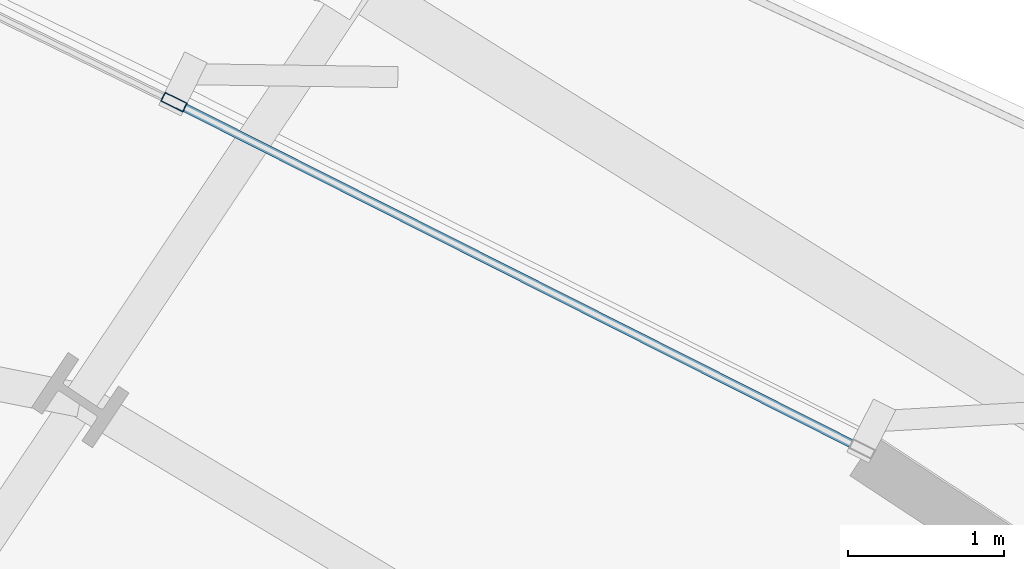
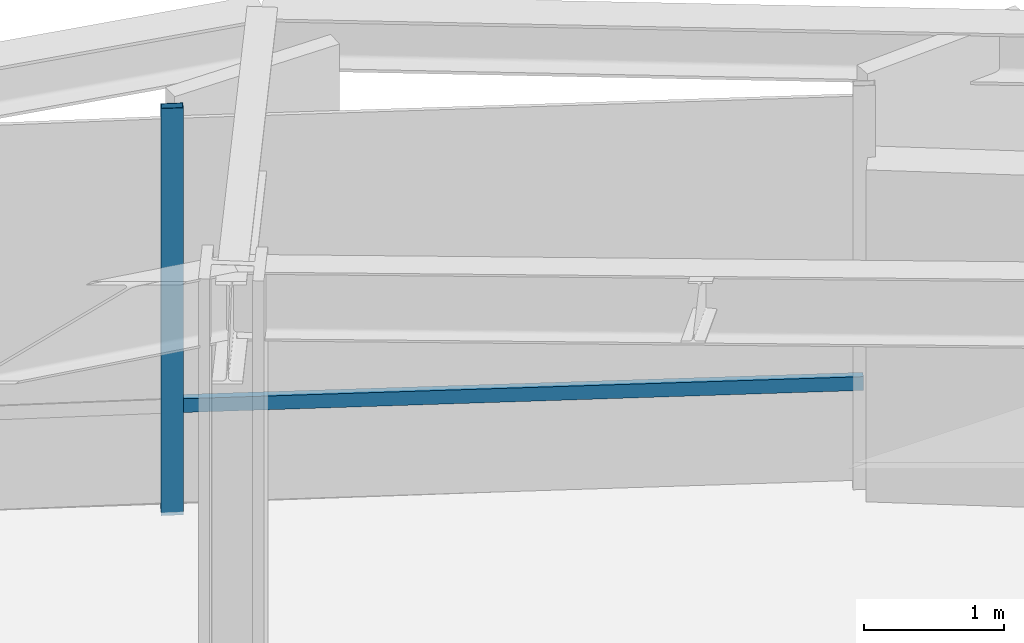
# One storey, part 24 of 39: 2 members, 1 element without a shape of its own.
"""IFC4 building model written with IfcOpenShell, lengths in metres."""

from ifc_helpers import new_model, si_unit, direction, frame, origin, origin_2d, place, context, subcontext, project, spatial, hollow_rectangle, extrude, source, transform, mapped, material, layer, layer_set, material_profile, profile_set, type_object, element, aggregate, save


model = new_model("IFC4")

# Units and contexts
model_context = context("Model", 3, precision=1e-05, world=origin(), true_north=direction((0.0, 1.0)))
body_context = subcontext(model_context, "Body", "Model", "MODEL_VIEW")
ifc_project = project(units=[si_unit("LENGTHUNIT", "METRE"), si_unit("AREAUNIT", "SQUARE_METRE"), si_unit("VOLUMEUNIT", "CUBIC_METRE"), si_unit("PLANEANGLEUNIT", "RADIAN"), si_unit("MASSUNIT", "GRAM", prefix="KILO"), si_unit("THERMODYNAMICTEMPERATUREUNIT", "KELVIN")], contexts=[model_context])

# Site, building, storey
site_placement = place(None, origin())
site = spatial("IfcSite", under=ifc_project, at=site_placement, CompositionType="ELEMENT")
building_placement = place(site_placement, origin())
building = spatial("IfcBuilding", under=site, at=building_placement, Name="Kethvar Cultural Tower", CompositionType="ELEMENT")
storey_placement = place(building_placement, frame((0.0, 0.0, 44.800048828125)))
storey = spatial("IfcBuildingStorey", under=building, at=storey_placement, Name="L10", CompositionType="ELEMENT", Elevation=44.800048828125)

# Curtain wall, members
ifc_material = material(Name="Aluminium 6063-T6", Category="aluminium")
ifc_layer = layer(ifc_material, 0.179931640625, Name="Aluminium 6063-T6", Category="aluminium")
ifc_layer_set = layer_set([ifc_layer], Name="Aluminium 6063-T6 (180 mm)")
curtain_wall_type = type_object("IfcCurtainWallType", Name="CW-SYS-02-Z1", PredefinedType="NOTDEFINED", material=ifc_layer_set)
curtain_wall_placement = place(storey_placement, origin())
curtain_wall = element("IfcCurtainWall", 1, at=curtain_wall_placement, inside=storey, type_object=curtain_wall_type, Name="L10 Curtain Wall Run 02", PredefinedType="NOTDEFINED")
ifc_material_profile_1 = material_profile(ifc_material, hollow_rectangle(XDim=0.06494140625, YDim=0.159912109375, WallThickness=0.0048828125, at=origin_2d()), Name="Aluminium 6063-T6 — RHS160x65x5")
ifc_profile_set_1 = profile_set([ifc_material_profile_1], Name="Aluminium 6063-T6 — RHS160x65x5")
member_type_1 = type_object("IfcMemberType", Name="CW-SYS-02-Z1-MUL", PredefinedType="MULLION", material=ifc_profile_set_1)
shared_shape_1 = source(origin(), body_context, "Body", "SweptSolid", [
    extrude(hollow_rectangle(XDim=0.06494140625, YDim=0.159912109375, WallThickness=0.0048828125, at=origin_2d()), origin(), (0.0, 0.0, 1.0), 3.550048828125),
])
member_1_placement = place(storey_placement, frame((60.426513671875, 49.20751953125, 0.0), z_axis=(0.0, 0.0, 1.0), x_axis=(-0.43909260354, -0.898441809756, 0.0)))
member_1 = element("IfcMember", 2, at=member_1_placement, type_object=member_type_1, Name="CW-L10-R02 Mullion 2", PredefinedType="MULLION", context=body_context, shape_type="MappedRepresentation", body=[
    mapped(shared_shape_1, transform((0.0, 0.0, 0.0), scale=1.0)),
])
ifc_material_profile_2 = material_profile(ifc_material, hollow_rectangle(XDim=0.054931640625, YDim=0.1201171875, WallThickness=0.00390625, at=origin_2d()), Name="Aluminium 6063-T6 — RHS120x55x4")
ifc_profile_set_2 = profile_set([ifc_material_profile_2], Name="Aluminium 6063-T6 — RHS120x55x4")
member_type_2 = type_object("IfcMemberType", Name="CW-SYS-02-Z1-TRN", PredefinedType="USERDEFINED", material=ifc_profile_set_2)
shared_shape_2 = source(origin(), body_context, "Body", "SweptSolid", [
    extrude(hollow_rectangle(XDim=0.054931640625, YDim=0.1201171875, WallThickness=0.00390625, at=origin_2d()), origin(), (0.0, 0.0, 1.0), 4.900390625),
])
member_2_placement = place(storey_placement, frame((64.842529296875, 46.98095703125, 0.949951171875), z_axis=(-0.892937603368, 0.450180448811, 0.0), x_axis=(-0.450180448811, -0.892937603368, 0.0)))
member_2 = element("IfcMember", 3, at=member_2_placement, type_object=member_type_2, Name="CW-L10-R02 Transom 1", ObjectType="TRANSOM", PredefinedType="USERDEFINED", context=body_context, shape_type="MappedRepresentation", body=[
    mapped(shared_shape_2, transform((0.0, 0.0, 0.0), scale=1.0)),
])
aggregate(curtain_wall, [member_1, member_2])

save(model, "model.ifc")
